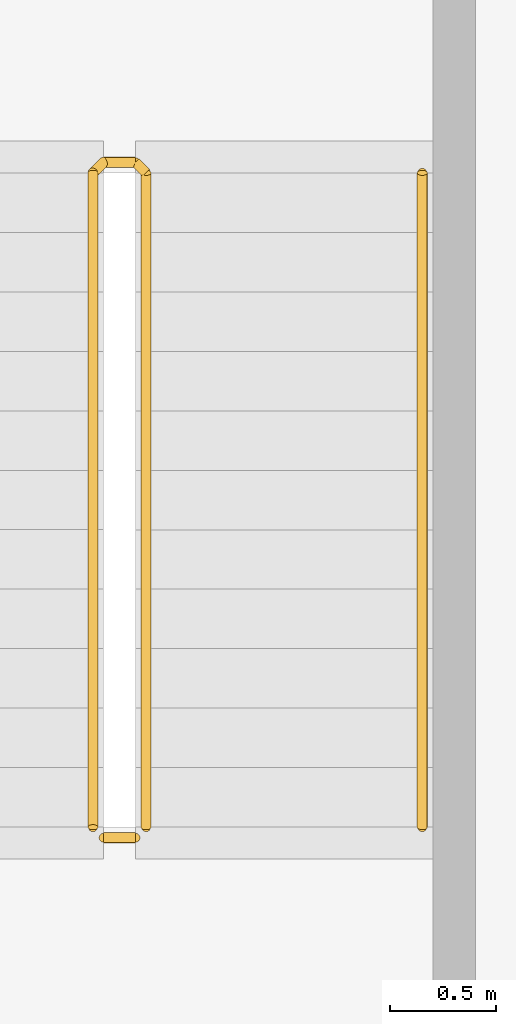
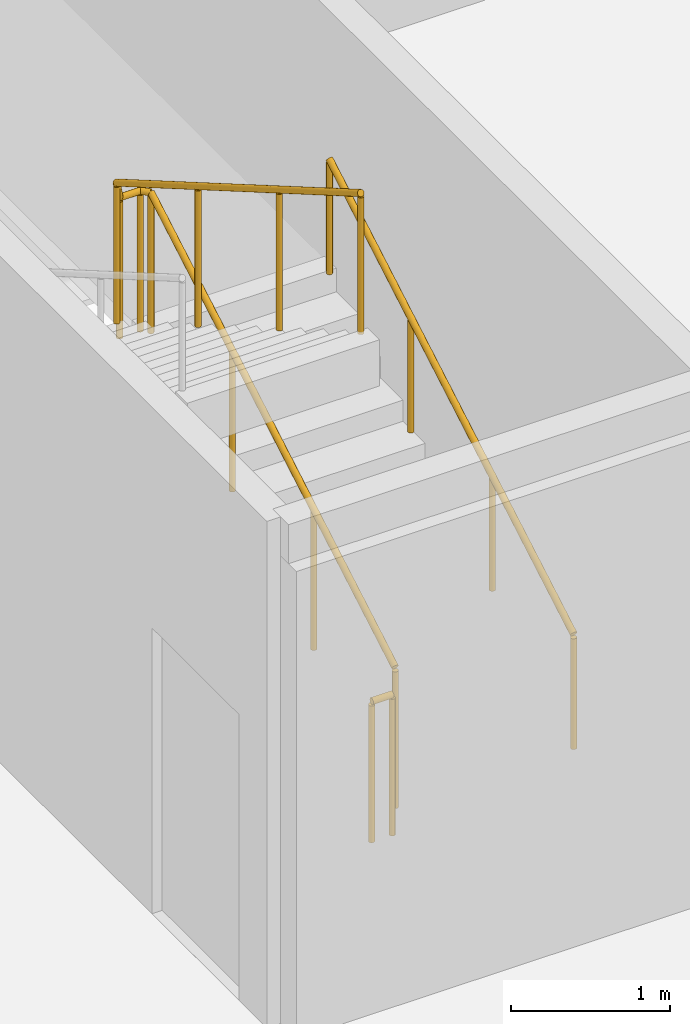
# One storey, part 28 of 29: 3 railings.
"""IFC4 building model written with IfcOpenShell, lengths in metres."""

from ifc_helpers import new_model, si_unit, direction, frame, origin, origin_2d, place, context, subcontext, project, spatial, circle, extrude, material, type_object, element, save


model = new_model("IFC4")

# Units and contexts
model_context = context("Model", 3, precision=1e-05, world=origin(), true_north=direction((0.0, 1.0)))
body_context = subcontext(model_context, "Body", "Model", "MODEL_VIEW")
ifc_project = project(units=[si_unit("LENGTHUNIT", "METRE"), si_unit("AREAUNIT", "SQUARE_METRE"), si_unit("VOLUMEUNIT", "CUBIC_METRE"), si_unit("PLANEANGLEUNIT", "RADIAN"), si_unit("MASSUNIT", "GRAM", prefix="KILO")], contexts=[model_context])

# Site, building, storey
site_placement = place(None, origin())
site = spatial("IfcSite", under=ifc_project, at=site_placement, CompositionType="ELEMENT")
building_placement = place(site_placement, origin())
building = spatial("IfcBuilding", under=site, at=building_placement, Name="Kheshtan School and Residences Tower", CompositionType="ELEMENT")
storey_placement = place(building_placement, frame((0.0, 0.0, 176.0)))
storey = spatial("IfcBuildingStorey", under=building, at=storey_placement, Name="L41", CompositionType="ELEMENT", Elevation=176.0)

# Railings
ifc_material_1 = material(Name="Stainless steel balustrade", Category="steel")
railing_type_1 = type_object("IfcRailingType", Name="Stair guard 1100", PredefinedType="GUARDRAIL", material=ifc_material_1)
railing_1_placement = place(storey_placement, frame((35.0, 80.89990234375, 0.16259765625)))
element("IfcRailing", 1, at=railing_1_placement, inside=storey, type_object=railing_type_1, Name="L41 ST3 stair guard 1", PredefinedType="GUARDRAIL", context=body_context, shape_type="SweptSolid", body=[
    extrude(circle(Radius=0.02392578125, at=origin_2d()), frame((0.0, 0.0, 1.076171875), z_axis=(0.0, 0.864920483161, 0.501908913857), x_axis=(-1.0, 0.0, 0.0)), (0.0, 0.0, 1.0), 3.56103515625),
    extrude(circle(Radius=0.02392578125, at=origin_2d()), frame((0.0, 3.080078125, 2.86328125), z_axis=(-0.707106781187, 0.707106781187, 0.0), x_axis=(-0.707106781187, -0.707106781187, 0.0)), (0.0, 0.0, 1.0), 0.07080078125),
    extrude(circle(Radius=0.02392578125, at=origin_2d()), frame((-0.050048828125, 3.130126953125, 2.86328125), z_axis=(-1.0, 0.0, 0.0), x_axis=(0.0, -1.0, 0.0)), (0.0, 0.0, 1.0), 0.14990234375),
    extrude(circle(Radius=0.02392578125, at=origin_2d()), frame((-0.199951171875, 3.130126953125, 2.86328125), z_axis=(-0.282227285176, -0.282227285176, 0.916894497205), x_axis=(0.707106781187, -0.707106781187, 0.0)), (0.0, 0.0, 1.0), 0.17724609375),
    extrude(circle(Radius=0.02392578125, at=origin_2d()), frame((-0.25, 3.080078125, 3.02587890625), z_axis=(0.0, -0.864920483161, 0.501908913857), x_axis=(1.0, 0.0, 0.0)), (0.0, 0.0, 1.0), 3.56103515625),
    extrude(circle(Radius=0.02099609375, at=origin_2d()), origin(), (0.0, 0.0, 1.0), 1.052001953125),
    extrude(circle(Radius=0.02099609375, at=origin_2d()), frame((0.0, 1.026611328125, 0.595703125)), (0.0, 0.0, 1.0), 1.052001953125),
    extrude(circle(Radius=0.02099609375, at=origin_2d()), frame((0.0, 2.053466796875, 1.191650390625)), (0.0, 0.0, 1.0), 1.052001953125),
    extrude(circle(Radius=0.02099609375, at=origin_2d()), frame((0.0, 3.080078125, 1.787353515625)), (0.0, 0.0, 1.0), 1.052001953125),
    extrude(circle(Radius=0.02099609375, at=origin_2d()), frame((-0.050048828125, 3.130126953125, 1.787353515625)), (0.0, 0.0, 1.0), 1.052001953125),
    extrude(circle(Radius=0.02099609375, at=origin_2d()), frame((-0.199951171875, 3.130126953125, 1.787353515625)), (0.0, 0.0, 1.0), 1.052001953125),
    extrude(circle(Radius=0.02099609375, at=origin_2d()), frame((-0.25, 3.080078125, 1.949951171875)), (0.0, 0.0, 1.0), 1.052001953125),
    extrude(circle(Radius=0.02099609375, at=origin_2d()), frame((-0.25, 2.053466796875, 2.545654296875)), (0.0, 0.0, 1.0), 1.052001953125),
    extrude(circle(Radius=0.02099609375, at=origin_2d()), frame((-0.25, 1.026611328125, 3.1416015625)), (0.0, 0.0, 1.0), 1.052001953125),
    extrude(circle(Radius=0.02099609375, at=origin_2d()), frame((-0.25, 0.0, 3.7373046875)), (0.0, 0.0, 1.0), 1.052001953125),
])
railing_2_placement = place(storey_placement, frame((34.949951171875, 80.85009765625, 0.0)))
element("IfcRailing", 2, at=railing_2_placement, inside=storey, type_object=railing_type_1, Name="L41 ST3 stair guard 2", PredefinedType="GUARDRAIL", context=body_context, shape_type="SweptSolid", body=[
    extrude(circle(Radius=0.02392578125, at=origin_2d()), frame((0.0, 0.0, 1.076171875), z_axis=(-1.0, 0.0, 0.0), x_axis=(0.0, -1.0, 0.0)), (0.0, 0.0, 1.0), 0.14990234375),
    extrude(circle(Radius=0.02099609375, at=origin_2d()), origin(), (0.0, 0.0, 1.0), 1.052001953125),
    extrude(circle(Radius=0.02099609375, at=origin_2d()), frame((-0.14990234375, 0.0, 0.0)), (0.0, 0.0, 1.0), 1.052001953125),
])
ifc_material_2 = material(Name="Stainless steel handrail", Category="steel")
railing_type_2 = type_object("IfcRailingType", Name="Stair handrail 900", PredefinedType="HANDRAIL", material=ifc_material_2)
railing_3_placement = place(storey_placement, frame((36.300048828125, 80.89990234375, 0.16259765625)))
element("IfcRailing", 3, at=railing_3_placement, inside=storey, type_object=railing_type_2, Name="L41 ST3 stair handrail 1", PredefinedType="HANDRAIL", context=body_context, shape_type="SweptSolid", body=[
    extrude(circle(Radius=0.02392578125, at=origin_2d()), frame((0.0, 0.0, 0.8759765625), z_axis=(0.0, 0.864920483161, 0.501908913857), x_axis=(-1.0, 0.0, 0.0)), (0.0, 0.0, 1.0), 3.56103515625),
    extrude(circle(Radius=0.02099609375, at=origin_2d()), origin(), (0.0, 0.0, 1.0), 0.851806640625),
    extrude(circle(Radius=0.02099609375, at=origin_2d()), frame((0.0, 1.026611328125, 0.595703125)), (0.0, 0.0, 1.0), 0.851806640625),
    extrude(circle(Radius=0.02099609375, at=origin_2d()), frame((0.0, 2.053466796875, 1.191650390625)), (0.0, 0.0, 1.0), 0.851806640625),
    extrude(circle(Radius=0.02099609375, at=origin_2d()), frame((0.0, 3.080078125, 1.787353515625)), (0.0, 0.0, 1.0), 0.851806640625),
])

save(model, "model.ifc")
